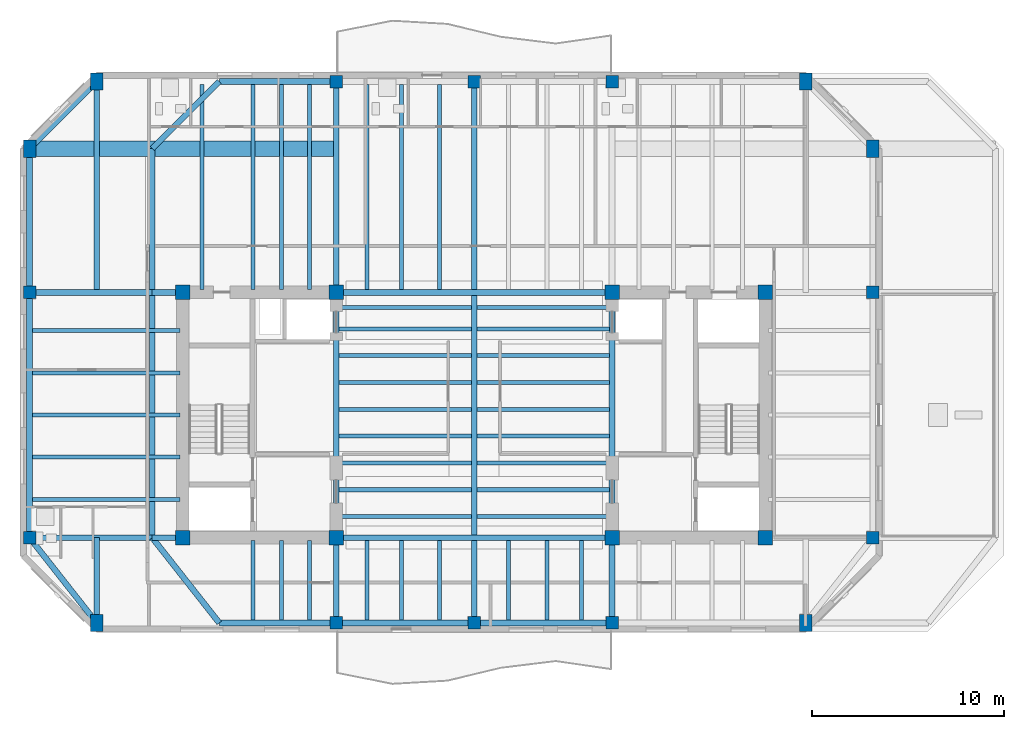
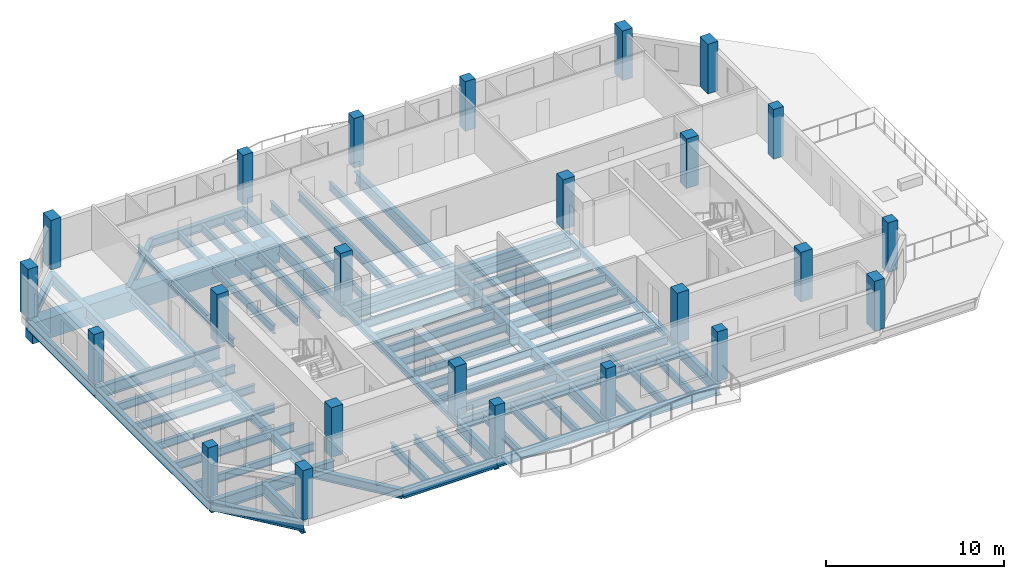
# One storey, part 1 of 10: 68 beams, 24 columns.
"""IFC4 building model written with IfcOpenShell, lengths in metres."""

from ifc_helpers import new_model, si_unit, direction, frame, origin, origin_2d, place, context, subcontext, project, spatial, rectangle, i_section, extrude, material, material_profile, profile_set, type_object, element, save


model = new_model("IFC4")

# Units and contexts
model_context = context("Model", 3, precision=1e-05, world=origin(), true_north=direction((0.0, 1.0)))
body_context = subcontext(model_context, "Body", "Model", "MODEL_VIEW")
ifc_project = project(units=[si_unit("LENGTHUNIT", "METRE"), si_unit("AREAUNIT", "SQUARE_METRE"), si_unit("VOLUMEUNIT", "CUBIC_METRE"), si_unit("PLANEANGLEUNIT", "RADIAN"), si_unit("MASSUNIT", "GRAM", prefix="KILO")], contexts=[model_context])

# Site, building, storey
site_placement = place(None, origin())
site = spatial("IfcSite", under=ifc_project, at=site_placement, CompositionType="ELEMENT")
building_placement = place(site_placement, origin())
building = spatial("IfcBuilding", under=site, at=building_placement, Name="Kranthara Brick Stack", CompositionType="ELEMENT")
storey_placement = place(building_placement, frame((0.0, 0.0, 268.699951171875)))
storey = spatial("IfcBuildingStorey", under=building, at=storey_placement, Name="L71", CompositionType="ELEMENT", Elevation=268.699951171875)

# Columns
ifc_material_1 = material(Name="Concrete C50/60", Category="concrete")
ifc_material_profile_1 = material_profile(ifc_material_1, rectangle(XDim=0.64990234375, YDim=0.89990234375, at=origin_2d()), Name="RC 650x900")
ifc_profile_set_1 = profile_set([ifc_material_profile_1], Name="Concrete C50/60")
column_type_1 = type_object("IfcColumnType", Name="COL-CHAM-650x900", PredefinedType="COLUMN", material=ifc_profile_set_1)
for number, where, z_axis, x_axis, name in (
    (1, (8.300048828125, 16.35009765625, 0.0), (0.0, 0.0, 1.0), (1.0, 0.0, 0.0), "L71 Column 09"),
    (2, (8.300048828125, 44.60009765625, 0.0), (0.0, 0.0, 1.0), (1.0, 0.0, 0.0), "L71 Column 10"),
    (3, (45.300048828125, 16.35009765625, 0.0), (0.0, 0.0, 1.0), (1.0, 0.0, 0.0), "L71 Column 17"),
    (4, (45.300048828125, 44.60009765625, 0.0), (0.0, 0.0, 1.0), (1.0, 0.0, 0.0), "L71 Column 18"),
    (5, (4.800048828125, 41.10009765625, 0.0), (0.0, 0.0, 1.0), (1.0, 0.0, 0.0), "L71 Column 23"),
    (6, (48.800048828125, 41.10009765625, 0.0), (0.0, 0.0, 1.0), (1.0, 0.0, 0.0), "L71 Column 24"),
):
    element("IfcColumn", number, at=place(storey_placement, frame(where, z_axis=z_axis, x_axis=x_axis)), inside=storey, type_object=column_type_1, Name=name, PredefinedType="COLUMN", context=body_context, shape_type="SweptSolid", body=[
        extrude(rectangle(XDim=0.64990234375, YDim=0.89990234375, at=origin_2d()), origin(), (0.0, 0.0, 1.0), 3.400146484375),
    ])
ifc_material_2 = material(Name="Concrete C50/60", Category="concrete")
ifc_material_profile_2 = material_profile(ifc_material_2, rectangle(XDim=0.75, YDim=0.75, at=origin_2d()), Name="RC 750x750")
ifc_profile_set_2 = profile_set([ifc_material_profile_2], Name="Concrete C50/60")
column_type_2 = type_object("IfcColumnType", Name="COL-CORE-750", PredefinedType="COLUMN", material=ifc_profile_set_2)
for number, where, z_axis, x_axis, name in (
    (7, (12.800048828125, 20.800048828125, 0.0), (0.0, 0.0, 1.0), (1.0, 0.0, 0.0), "L71 Column 01"),
    (8, (20.800048828125, 20.800048828125, 0.0), (0.0, 0.0, 1.0), (1.0, 0.0, 0.0), "L71 Column 02"),
    (9, (12.800048828125, 33.60009765625, 0.0), (0.0, 0.0, 1.0), (1.0, 0.0, 0.0), "L71 Column 03"),
    (10, (20.800048828125, 33.60009765625, 0.0), (0.0, 0.0, 1.0), (1.0, 0.0, 0.0), "L71 Column 04"),
    (11, (35.199951171875, 20.800048828125, 0.0), (0.0, 0.0, 1.0), (1.0, 0.0, 0.0), "L71 Column 05"),
    (12, (43.199951171875, 20.800048828125, 0.0), (0.0, 0.0, 1.0), (1.0, 0.0, 0.0), "L71 Column 06"),
    (13, (35.199951171875, 33.60009765625, 0.0), (0.0, 0.0, 1.0), (1.0, 0.0, 0.0), "L71 Column 07"),
    (14, (43.199951171875, 33.60009765625, 0.0), (0.0, 0.0, 1.0), (1.0, 0.0, 0.0), "L71 Column 08"),
):
    element("IfcColumn", number, at=place(storey_placement, frame(where, z_axis=z_axis, x_axis=x_axis)), inside=storey, type_object=column_type_2, Name=name, PredefinedType="COLUMN", context=body_context, shape_type="SweptSolid", body=[
        extrude(rectangle(XDim=0.75, YDim=0.75, at=origin_2d()), origin(), (0.0, 0.0, 1.0), 3.400146484375),
    ])
ifc_material_3 = material(Name="Concrete C50/60", Category="concrete")
ifc_material_profile_3 = material_profile(ifc_material_3, rectangle(XDim=0.64990234375, YDim=0.64990234375, at=origin_2d()), Name="RC 650x650")
ifc_profile_set_3 = profile_set([ifc_material_profile_3], Name="Concrete C50/60")
column_type_3 = type_object("IfcColumnType", Name="COL-PER-650", PredefinedType="COLUMN", material=ifc_profile_set_3)
for number, where, z_axis, x_axis, name in (
    (15, (20.800048828125, 16.35009765625, 0.0), (0.0, 0.0, 1.0), (1.0, 0.0, 0.0), "L71 Column 11"),
    (16, (20.800048828125, 44.60009765625, 0.0), (0.0, 0.0, 1.0), (1.0, 0.0, 0.0), "L71 Column 12"),
    (17, (28.0, 16.35009765625, 0.0), (0.0, 0.0, 1.0), (1.0, 0.0, 0.0), "L71 Column 13"),
    (18, (28.0, 44.60009765625, 0.0), (0.0, 0.0, 1.0), (1.0, 0.0, 0.0), "L71 Column 14"),
    (19, (35.199951171875, 16.35009765625, 0.0), (0.0, 0.0, 1.0), (1.0, 0.0, 0.0), "L71 Column 15"),
    (20, (35.199951171875, 44.60009765625, 0.0), (0.0, 0.0, 1.0), (1.0, 0.0, 0.0), "L71 Column 16"),
    (21, (4.800048828125, 20.800048828125, 0.0), (0.0, 0.0, 1.0), (1.0, 0.0, 0.0), "L71 Column 19"),
    (22, (48.800048828125, 20.800048828125, 0.0), (0.0, 0.0, 1.0), (1.0, 0.0, 0.0), "L71 Column 20"),
    (23, (4.800048828125, 33.60009765625, 0.0), (0.0, 0.0, 1.0), (1.0, 0.0, 0.0), "L71 Column 21"),
    (24, (48.800048828125, 33.60009765625, 0.0), (0.0, 0.0, 1.0), (1.0, 0.0, 0.0), "L71 Column 22"),
):
    element("IfcColumn", number, at=place(storey_placement, frame(where, z_axis=z_axis, x_axis=x_axis)), inside=storey, type_object=column_type_3, Name=name, PredefinedType="COLUMN", context=body_context, shape_type="SweptSolid", body=[
        extrude(rectangle(XDim=0.64990234375, YDim=0.64990234375, at=origin_2d()), origin(), (0.0, 0.0, 1.0), 3.400146484375),
    ])

# Beams
ifc_material_4 = material(Name="Steel S355", Category="steel")
ifc_material_profile_4 = material_profile(ifc_material_4, i_section(OverallWidth=0.2099609375, OverallDepth=0.550048828125, WebThickness=0.010986328125, FlangeThickness=0.01708984375, at=origin_2d()), Name="IPE 550")
ifc_profile_set_4 = profile_set([ifc_material_profile_4], Name="Steel S355")
beam_type_1 = type_object("IfcBeamType", Name="BM-JST-IPE550", PredefinedType="JOIST", material=ifc_profile_set_4)
for number, where, z_axis, x_axis, name in (
    (25, (20.949951171875, 21.89990234375, -0.724853515625), (1.0, 0.0, 0.0), (0.0, 1.0, 0.0), "L71 Central Floor Joist 048"),
    (26, (28.14990234375, 21.89990234375, -0.724853515625), (1.0, 0.0, 0.0), (0.0, 1.0, 0.0), "L71 Central Floor Joist 049"),
    (27, (20.949951171875, 23.300048828125, -0.724853515625), (1.0, 0.0, 0.0), (0.0, 1.0, 0.0), "L71 Central Floor Joist 050"),
    (28, (28.14990234375, 23.300048828125, -0.724853515625), (1.0, 0.0, 0.0), (0.0, 1.0, 0.0), "L71 Central Floor Joist 051"),
    (29, (20.949951171875, 24.699951171875, -0.724853515625), (1.0, 0.0, 0.0), (0.0, 1.0, 0.0), "L71 Central Floor Joist 052"),
    (30, (28.14990234375, 24.699951171875, -0.724853515625), (1.0, 0.0, 0.0), (0.0, 1.0, 0.0), "L71 Central Floor Joist 053"),
    (31, (20.949951171875, 26.10009765625, -0.724853515625), (1.0, 0.0, 0.0), (0.0, 1.0, 0.0), "L71 Central Floor Joist 054"),
    (32, (28.14990234375, 26.10009765625, -0.724853515625), (1.0, 0.0, 0.0), (0.0, 1.0, 0.0), "L71 Central Floor Joist 055"),
    (33, (20.949951171875, 27.5, -0.724853515625), (1.0, 0.0, 0.0), (0.0, 1.0, 0.0), "L71 Central Floor Joist 056"),
    (34, (28.14990234375, 27.5, -0.724853515625), (1.0, 0.0, 0.0), (0.0, 1.0, 0.0), "L71 Central Floor Joist 057"),
    (35, (20.949951171875, 28.89990234375, -0.724853515625), (1.0, 0.0, 0.0), (0.0, 1.0, 0.0), "L71 Central Floor Joist 058"),
    (36, (28.14990234375, 28.89990234375, -0.724853515625), (1.0, 0.0, 0.0), (0.0, 1.0, 0.0), "L71 Central Floor Joist 059"),
    (37, (20.949951171875, 30.300048828125, -0.724853515625), (1.0, 0.0, 0.0), (0.0, 1.0, 0.0), "L71 Central Floor Joist 060"),
    (38, (28.14990234375, 30.300048828125, -0.724853515625), (1.0, 0.0, 0.0), (0.0, 1.0, 0.0), "L71 Central Floor Joist 061"),
    (39, (20.949951171875, 31.699951171875, -0.724853515625), (1.0, 0.0, 0.0), (0.0, 1.0, 0.0), "L71 Central Floor Joist 062"),
    (40, (28.14990234375, 31.699951171875, -0.724853515625), (1.0, 0.0, 0.0), (0.0, 1.0, 0.0), "L71 Central Floor Joist 063"),
    (41, (20.949951171875, 32.800048828125, -0.724853515625), (1.0, 0.0, 0.0), (0.0, 1.0, 0.0), "L71 Central Floor Joist 064"),
    (42, (28.14990234375, 32.800048828125, -0.724853515625), (1.0, 0.0, 0.0), (0.0, 1.0, 0.0), "L71 Central Floor Joist 065"),
):
    element("IfcBeam", number, at=place(storey_placement, frame(where, z_axis=z_axis, x_axis=x_axis)), inside=storey, type_object=beam_type_1, Name=name, PredefinedType="JOIST", context=body_context, shape_type="SweptSolid", body=[
        extrude(i_section(OverallWidth=0.2099609375, OverallDepth=0.550048828125, WebThickness=0.010986328125, FlangeThickness=0.01708984375, at=origin_2d()), origin(), (0.0, 0.0, 1.0), 6.900146484375),
    ])
beam_1_placement = place(storey_placement, frame((13.800048828125, 33.75, -0.724853515625), z_axis=(0.0, 1.0, 0.0), x_axis=(-1.0, 0.0, 0.0)))
element("IfcBeam", 43, at=beam_1_placement, inside=storey, type_object=beam_type_1, Name="L71 North Wing Floor Joist 066", PredefinedType="JOIST", context=body_context, shape_type="SweptSolid", body=[
    extrude(i_section(OverallWidth=0.2099609375, OverallDepth=0.550048828125, WebThickness=0.010986328125, FlangeThickness=0.01708984375, at=origin_2d()), origin(), (0.0, 0.0, 1.0), 10.699951171875),
])
beam_2_placement = place(storey_placement, frame((16.449951171875, 16.5, -0.724853515625), z_axis=(0.0, 1.0, 0.0), x_axis=(-1.0, 0.0, 0.0)))
element("IfcBeam", 44, at=beam_2_placement, inside=storey, type_object=beam_type_1, Name="L71 South Wing Floor Joist 067", PredefinedType="JOIST", context=body_context, shape_type="SweptSolid", body=[
    extrude(i_section(OverallWidth=0.2099609375, OverallDepth=0.550048828125, WebThickness=0.010986328125, FlangeThickness=0.01708984375, at=origin_2d()), origin(), (0.0, 0.0, 1.0), 4.14990234375),
])
beam_3_placement = place(storey_placement, frame((16.449951171875, 33.75, -0.724853515625), z_axis=(0.0, 1.0, 0.0), x_axis=(-1.0, 0.0, 0.0)))
element("IfcBeam", 45, at=beam_3_placement, inside=storey, type_object=beam_type_1, Name="L71 North Wing Floor Joist 068", PredefinedType="JOIST", context=body_context, shape_type="SweptSolid", body=[
    extrude(i_section(OverallWidth=0.2099609375, OverallDepth=0.550048828125, WebThickness=0.010986328125, FlangeThickness=0.01708984375, at=origin_2d()), origin(), (0.0, 0.0, 1.0), 10.699951171875),
])
beam_4_placement = place(storey_placement, frame((17.949951171875, 16.5, -0.724853515625), z_axis=(0.0, 1.0, 0.0), x_axis=(-1.0, 0.0, 0.0)))
element("IfcBeam", 46, at=beam_4_placement, inside=storey, type_object=beam_type_1, Name="L71 South Wing Floor Joist 069", PredefinedType="JOIST", context=body_context, shape_type="SweptSolid", body=[
    extrude(i_section(OverallWidth=0.2099609375, OverallDepth=0.550048828125, WebThickness=0.010986328125, FlangeThickness=0.01708984375, at=origin_2d()), origin(), (0.0, 0.0, 1.0), 4.14990234375),
])
beam_5_placement = place(storey_placement, frame((17.949951171875, 33.75, -0.724853515625), z_axis=(0.0, 1.0, 0.0), x_axis=(-1.0, 0.0, 0.0)))
element("IfcBeam", 47, at=beam_5_placement, inside=storey, type_object=beam_type_1, Name="L71 North Wing Floor Joist 070", PredefinedType="JOIST", context=body_context, shape_type="SweptSolid", body=[
    extrude(i_section(OverallWidth=0.2099609375, OverallDepth=0.550048828125, WebThickness=0.010986328125, FlangeThickness=0.01708984375, at=origin_2d()), origin(), (0.0, 0.0, 1.0), 10.699951171875),
])
beam_6_placement = place(storey_placement, frame((19.39990234375, 16.5, -0.724853515625), z_axis=(0.0, 1.0, 0.0), x_axis=(-1.0, 0.0, 0.0)))
element("IfcBeam", 48, at=beam_6_placement, inside=storey, type_object=beam_type_1, Name="L71 South Wing Floor Joist 071", PredefinedType="JOIST", context=body_context, shape_type="SweptSolid", body=[
    extrude(i_section(OverallWidth=0.2099609375, OverallDepth=0.550048828125, WebThickness=0.010986328125, FlangeThickness=0.01708984375, at=origin_2d()), origin(), (0.0, 0.0, 1.0), 4.14990234375),
])
beam_7_placement = place(storey_placement, frame((19.39990234375, 33.75, -0.724853515625), z_axis=(0.0, 1.0, 0.0), x_axis=(-1.0, 0.0, 0.0)))
element("IfcBeam", 49, at=beam_7_placement, inside=storey, type_object=beam_type_1, Name="L71 North Wing Floor Joist 072", PredefinedType="JOIST", context=body_context, shape_type="SweptSolid", body=[
    extrude(i_section(OverallWidth=0.2099609375, OverallDepth=0.550048828125, WebThickness=0.010986328125, FlangeThickness=0.01708984375, at=origin_2d()), origin(), (0.0, 0.0, 1.0), 10.699951171875),
])
beam_8_placement = place(storey_placement, frame((22.39990234375, 16.5, -0.724853515625), z_axis=(0.0, 1.0, 0.0), x_axis=(-1.0, 0.0, 0.0)))
element("IfcBeam", 50, at=beam_8_placement, inside=storey, type_object=beam_type_1, Name="L71 South Wing Floor Joist 073", PredefinedType="JOIST", context=body_context, shape_type="SweptSolid", body=[
    extrude(i_section(OverallWidth=0.2099609375, OverallDepth=0.550048828125, WebThickness=0.010986328125, FlangeThickness=0.01708984375, at=origin_2d()), origin(), (0.0, 0.0, 1.0), 4.14990234375),
])
beam_9_placement = place(storey_placement, frame((22.39990234375, 33.75, -0.724853515625), z_axis=(0.0, 1.0, 0.0), x_axis=(-1.0, 0.0, 0.0)))
element("IfcBeam", 51, at=beam_9_placement, inside=storey, type_object=beam_type_1, Name="L71 North Wing Floor Joist 074", PredefinedType="JOIST", context=body_context, shape_type="SweptSolid", body=[
    extrude(i_section(OverallWidth=0.2099609375, OverallDepth=0.550048828125, WebThickness=0.010986328125, FlangeThickness=0.01708984375, at=origin_2d()), origin(), (0.0, 0.0, 1.0), 10.699951171875),
])
beam_10_placement = place(storey_placement, frame((24.199951171875, 16.5, -0.724853515625), z_axis=(0.0, 1.0, 0.0), x_axis=(-1.0, 0.0, 0.0)))
element("IfcBeam", 52, at=beam_10_placement, inside=storey, type_object=beam_type_1, Name="L71 South Wing Floor Joist 075", PredefinedType="JOIST", context=body_context, shape_type="SweptSolid", body=[
    extrude(i_section(OverallWidth=0.2099609375, OverallDepth=0.550048828125, WebThickness=0.010986328125, FlangeThickness=0.01708984375, at=origin_2d()), origin(), (0.0, 0.0, 1.0), 4.14990234375),
])
beam_11_placement = place(storey_placement, frame((24.199951171875, 33.75, -0.724853515625), z_axis=(0.0, 1.0, 0.0), x_axis=(-1.0, 0.0, 0.0)))
element("IfcBeam", 53, at=beam_11_placement, inside=storey, type_object=beam_type_1, Name="L71 North Wing Floor Joist 076", PredefinedType="JOIST", context=body_context, shape_type="SweptSolid", body=[
    extrude(i_section(OverallWidth=0.2099609375, OverallDepth=0.550048828125, WebThickness=0.010986328125, FlangeThickness=0.01708984375, at=origin_2d()), origin(), (0.0, 0.0, 1.0), 10.699951171875),
])
beam_12_placement = place(storey_placement, frame((26.199951171875, 16.5, -0.724853515625), z_axis=(0.0, 1.0, 0.0), x_axis=(-1.0, 0.0, 0.0)))
element("IfcBeam", 54, at=beam_12_placement, inside=storey, type_object=beam_type_1, Name="L71 South Wing Floor Joist 077", PredefinedType="JOIST", context=body_context, shape_type="SweptSolid", body=[
    extrude(i_section(OverallWidth=0.2099609375, OverallDepth=0.550048828125, WebThickness=0.010986328125, FlangeThickness=0.01708984375, at=origin_2d()), origin(), (0.0, 0.0, 1.0), 4.14990234375),
])
beam_13_placement = place(storey_placement, frame((26.199951171875, 33.75, -0.724853515625), z_axis=(0.0, 1.0, 0.0), x_axis=(-1.0, 0.0, 0.0)))
element("IfcBeam", 55, at=beam_13_placement, inside=storey, type_object=beam_type_1, Name="L71 North Wing Floor Joist 078", PredefinedType="JOIST", context=body_context, shape_type="SweptSolid", body=[
    extrude(i_section(OverallWidth=0.2099609375, OverallDepth=0.550048828125, WebThickness=0.010986328125, FlangeThickness=0.01708984375, at=origin_2d()), origin(), (0.0, 0.0, 1.0), 10.699951171875),
])
for number, where, z_axis, x_axis, name in (
    (56, (29.800048828125, 16.5, -0.724853515625), (0.0, 1.0, 0.0), (-1.0, 0.0, 0.0), "L71 South Wing Floor Joist 079"),
    (57, (31.800048828125, 16.5, -0.724853515625), (0.0, 1.0, 0.0), (-1.0, 0.0, 0.0), "L71 South Wing Floor Joist 081"),
    (58, (33.60009765625, 16.5, -0.724853515625), (0.0, 1.0, 0.0), (-1.0, 0.0, 0.0), "L71 South Wing Floor Joist 083"),
):
    element("IfcBeam", number, at=place(storey_placement, frame(where, z_axis=z_axis, x_axis=x_axis)), inside=storey, type_object=beam_type_1, Name=name, PredefinedType="JOIST", context=body_context, shape_type="SweptSolid", body=[
        extrude(i_section(OverallWidth=0.2099609375, OverallDepth=0.550048828125, WebThickness=0.010986328125, FlangeThickness=0.01708984375, at=origin_2d()), origin(), (0.0, 0.0, 1.0), 4.14990234375),
    ])
for number, where, z_axis, x_axis, name in (
    (59, (4.949951171875, 22.800048828125, -0.724853515625), (1.0, 0.0, 0.0), (0.0, 1.0, 0.0), "L71 West Wing Floor Joist 093"),
    (60, (4.949951171875, 25.0, -0.724853515625), (1.0, 0.0, 0.0), (0.0, 1.0, 0.0), "L71 West Wing Floor Joist 095"),
    (61, (4.949951171875, 27.199951171875, -0.724853515625), (1.0, 0.0, 0.0), (0.0, 1.0, 0.0), "L71 West Wing Floor Joist 097"),
    (62, (4.949951171875, 29.39990234375, -0.724853515625), (1.0, 0.0, 0.0), (0.0, 1.0, 0.0), "L71 West Wing Floor Joist 099"),
    (63, (4.949951171875, 31.60009765625, -0.724853515625), (1.0, 0.0, 0.0), (0.0, 1.0, 0.0), "L71 West Wing Floor Joist 101"),
):
    element("IfcBeam", number, at=place(storey_placement, frame(where, z_axis=z_axis, x_axis=x_axis)), inside=storey, type_object=beam_type_1, Name=name, PredefinedType="JOIST", context=body_context, shape_type="SweptSolid", body=[
        extrude(i_section(OverallWidth=0.2099609375, OverallDepth=0.550048828125, WebThickness=0.010986328125, FlangeThickness=0.01708984375, at=origin_2d()), origin(), (0.0, 0.0, 1.0), 7.699951171875),
    ])
ifc_material_5 = material(Name="Steel S355", Category="steel")
ifc_material_profile_5 = material_profile(ifc_material_5, i_section(OverallWidth=0.300048828125, OverallDepth=0.449951171875, WebThickness=0.013916015625, FlangeThickness=0.02587890625, at=origin_2d()), Name="HEB 450")
ifc_profile_set_5 = profile_set([ifc_material_profile_5], Name="Steel S355")
beam_type_2 = type_object("IfcBeamType", Name="BM-STL-HEB450", PredefinedType="SPANDREL", material=ifc_profile_set_5)
for number, where, z_axis, x_axis, name in (
    (64, (20.800048828125, 20.800048828125, -0.675048828125), (0.0, 1.0, 0.0), (-1.0, 0.0, 0.0), "L71 Core Edge Tie Beam 003"),
    (65, (35.199951171875, 20.800048828125, -0.675048828125), (0.0, 1.0, 0.0), (-1.0, 0.0, 0.0), "L71 Core Edge Tie Beam 004"),
):
    element("IfcBeam", number, at=place(storey_placement, frame(where, z_axis=z_axis, x_axis=x_axis)), inside=storey, type_object=beam_type_2, Name=name, PredefinedType="SPANDREL", context=body_context, shape_type="SweptSolid", body=[
        extrude(i_section(OverallWidth=0.300048828125, OverallDepth=0.449951171875, WebThickness=0.013916015625, FlangeThickness=0.02587890625, at=origin_2d()), origin(), (0.0, 0.0, 1.0), 12.800048828125),
    ])
ifc_material_6 = material(Name="Steel S355", Category="steel")
ifc_material_profile_6 = material_profile(ifc_material_6, i_section(OverallWidth=0.300048828125, OverallDepth=0.60009765625, WebThickness=0.015380859375, FlangeThickness=0.030029296875, at=origin_2d()), Name="HEB 600")
ifc_profile_set_6 = profile_set([ifc_material_profile_6], Name="Steel S355")
beam_type_3 = type_object("IfcBeamType", Name="BM-STL-HEB600", PredefinedType="BEAM", material=ifc_profile_set_6)
beam_14_placement = place(storey_placement, frame((14.699951171875, 16.35009765625, -0.75), z_axis=(1.0, 0.0, 0.0), x_axis=(0.0, 1.0, 0.0)))
element("IfcBeam", 66, at=beam_14_placement, inside=storey, type_object=beam_type_3, Name="L71 Perimeter Spandrel Beam 005", PredefinedType="BEAM", context=body_context, shape_type="SweptSolid", body=[
    extrude(i_section(OverallWidth=0.300048828125, OverallDepth=0.60009765625, WebThickness=0.015380859375, FlangeThickness=0.030029296875, at=origin_2d()), origin(), (0.0, 0.0, 1.0), 6.10009765625),
])
for number, where, z_axis, x_axis, name in (
    (67, (20.800048828125, 16.35009765625, -0.75), (1.0, 0.0, 0.0), (0.0, 1.0, 0.0), "L71 Perimeter Spandrel Beam 006"),
    (68, (28.0, 16.35009765625, -0.75), (1.0, 0.0, 0.0), (0.0, 1.0, 0.0), "L71 Perimeter Spandrel Beam 007"),
):
    element("IfcBeam", number, at=place(storey_placement, frame(where, z_axis=z_axis, x_axis=x_axis)), inside=storey, type_object=beam_type_3, Name=name, PredefinedType="BEAM", context=body_context, shape_type="SweptSolid", body=[
        extrude(i_section(OverallWidth=0.300048828125, OverallDepth=0.60009765625, WebThickness=0.015380859375, FlangeThickness=0.030029296875, at=origin_2d()), origin(), (0.0, 0.0, 1.0), 7.199951171875),
    ])
beam_15_placement = place(storey_placement, frame((14.699951171875, 44.60009765625, -0.75), z_axis=(1.0, 0.0, 0.0), x_axis=(0.0, 1.0, 0.0)))
element("IfcBeam", 69, at=beam_15_placement, inside=storey, type_object=beam_type_3, Name="L71 Perimeter Spandrel Beam 009", PredefinedType="BEAM", context=body_context, shape_type="SweptSolid", body=[
    extrude(i_section(OverallWidth=0.300048828125, OverallDepth=0.60009765625, WebThickness=0.015380859375, FlangeThickness=0.030029296875, at=origin_2d()), origin(), (0.0, 0.0, 1.0), 6.10009765625),
])
beam_16_placement = place(storey_placement, frame((11.199951171875, 20.800048828125, -0.75), z_axis=(0.0, 1.0, 0.0), x_axis=(-1.0, 0.0, 0.0)))
element("IfcBeam", 70, at=beam_16_placement, inside=storey, type_object=beam_type_3, Name="L71 Perimeter Spandrel Beam 013", PredefinedType="BEAM", context=body_context, shape_type="SweptSolid", body=[
    extrude(i_section(OverallWidth=0.300048828125, OverallDepth=0.60009765625, WebThickness=0.015380859375, FlangeThickness=0.030029296875, at=origin_2d()), origin(), (0.0, 0.0, 1.0), 12.800048828125),
])
beam_17_placement = place(storey_placement, frame((11.199951171875, 33.60009765625, -0.75), z_axis=(0.0, 1.0, 0.0), x_axis=(-1.0, 0.0, 0.0)))
element("IfcBeam", 71, at=beam_17_placement, inside=storey, type_object=beam_type_3, Name="L71 Perimeter Spandrel Beam 014", PredefinedType="BEAM", context=body_context, shape_type="SweptSolid", body=[
    extrude(i_section(OverallWidth=0.300048828125, OverallDepth=0.60009765625, WebThickness=0.015380859375, FlangeThickness=0.030029296875, at=origin_2d()), origin(), (0.0, 0.0, 1.0), 7.5),
])
beam_18_placement = place(storey_placement, frame((14.699951171875, 16.35009765625, -0.75), z_axis=(-0.618215705636, 0.78600848679, 0.0), x_axis=(-0.78600848679, -0.618215705636, 0.0)))
element("IfcBeam", 72, at=beam_18_placement, inside=storey, type_object=beam_type_3, Name="L71 Chamfer Corner Spandrel 017", PredefinedType="BEAM", context=body_context, shape_type="SweptSolid", body=[
    extrude(i_section(OverallWidth=0.300048828125, OverallDepth=0.60009765625, WebThickness=0.015380859375, FlangeThickness=0.030029296875, at=origin_2d()), origin(), (0.0, 0.0, 1.0), 5.661376953125),
])
beam_19_placement = place(storey_placement, frame((14.699951171875, 44.60009765625, -0.75), z_axis=(-0.707106781187, -0.707106781187, 0.0), x_axis=(0.707106781187, -0.707106781187, 0.0)))
element("IfcBeam", 73, at=beam_19_placement, inside=storey, type_object=beam_type_3, Name="L71 Chamfer Corner Spandrel 019", PredefinedType="BEAM", context=body_context, shape_type="SweptSolid", body=[
    extrude(i_section(OverallWidth=0.300048828125, OverallDepth=0.60009765625, WebThickness=0.015380859375, FlangeThickness=0.030029296875, at=origin_2d()), origin(), (0.0, 0.0, 1.0), 4.94970703125),
])
beam_20_placement = place(storey_placement, frame((4.800048828125, 20.800048828125, -0.75), z_axis=(0.0, 1.0, 0.0), x_axis=(-1.0, 0.0, 0.0)))
element("IfcBeam", 74, at=beam_20_placement, inside=storey, type_object=beam_type_3, Name="L71 Perimeter Spandrel Beam 021", PredefinedType="BEAM", context=body_context, shape_type="SweptSolid", body=[
    extrude(i_section(OverallWidth=0.300048828125, OverallDepth=0.60009765625, WebThickness=0.015380859375, FlangeThickness=0.030029296875, at=origin_2d()), origin(), (0.0, 0.0, 1.0), 12.800048828125),
])
beam_21_placement = place(storey_placement, frame((4.800048828125, 33.60009765625, -0.75), z_axis=(0.0, 1.0, 0.0), x_axis=(-1.0, 0.0, 0.0)))
element("IfcBeam", 75, at=beam_21_placement, inside=storey, type_object=beam_type_3, Name="L71 Perimeter Spandrel Beam 022", PredefinedType="BEAM", context=body_context, shape_type="SweptSolid", body=[
    extrude(i_section(OverallWidth=0.300048828125, OverallDepth=0.60009765625, WebThickness=0.015380859375, FlangeThickness=0.030029296875, at=origin_2d()), origin(), (0.0, 0.0, 1.0), 7.5),
])
beam_22_placement = place(storey_placement, frame((8.300048828125, 16.35009765625, -0.75), z_axis=(-0.618215705636, 0.78600848679, 0.0), x_axis=(-0.78600848679, -0.618215705636, 0.0)))
element("IfcBeam", 76, at=beam_22_placement, inside=storey, type_object=beam_type_3, Name="L71 Chamfer Corner Spandrel 025", PredefinedType="BEAM", context=body_context, shape_type="SweptSolid", body=[
    extrude(i_section(OverallWidth=0.300048828125, OverallDepth=0.60009765625, WebThickness=0.015380859375, FlangeThickness=0.030029296875, at=origin_2d()), origin(), (0.0, 0.0, 1.0), 5.661376953125),
])
beam_23_placement = place(storey_placement, frame((8.300048828125, 44.60009765625, -0.75), z_axis=(-0.707106781187, -0.707106781187, 0.0), x_axis=(0.707106781187, -0.707106781187, 0.0)))
element("IfcBeam", 77, at=beam_23_placement, inside=storey, type_object=beam_type_3, Name="L71 Chamfer Corner Spandrel 027", PredefinedType="BEAM", context=body_context, shape_type="SweptSolid", body=[
    extrude(i_section(OverallWidth=0.300048828125, OverallDepth=0.60009765625, WebThickness=0.015380859375, FlangeThickness=0.030029296875, at=origin_2d()), origin(), (0.0, 0.0, 1.0), 4.94970703125),
])
ifc_material_7 = material(Name="Steel S355", Category="steel")
ifc_material_profile_7 = material_profile(ifc_material_7, i_section(OverallWidth=0.300048828125, OverallDepth=0.800048828125, WebThickness=0.017578125, FlangeThickness=0.032958984375, at=origin_2d()), Name="HEB 800")
ifc_profile_set_7 = profile_set([ifc_material_profile_7], Name="Steel S355")
beam_type_4 = type_object("IfcBeamType", Name="BM-TR-HEB800", PredefinedType="BEAM", material=ifc_profile_set_7)
for number, where, z_axis, x_axis, name in (
    (78, (20.800048828125, 20.800048828125, -0.849853515625), (1.0, 0.0, 0.0), (0.0, 1.0, 0.0), "L71 Core Coupling Beam 001"),
    (79, (20.800048828125, 33.60009765625, -0.849853515625), (1.0, 0.0, 0.0), (0.0, 1.0, 0.0), "L71 Core Coupling Beam 002"),
):
    element("IfcBeam", number, at=place(storey_placement, frame(where, z_axis=z_axis, x_axis=x_axis)), inside=storey, type_object=beam_type_4, Name=name, PredefinedType="BEAM", context=body_context, shape_type="SweptSolid", body=[
        extrude(i_section(OverallWidth=0.300048828125, OverallDepth=0.800048828125, WebThickness=0.017578125, FlangeThickness=0.032958984375, at=origin_2d()), origin(), (0.0, 0.0, 1.0), 14.39990234375),
    ])
beam_24_placement = place(storey_placement, frame((20.800048828125, 16.35009765625, -0.849853515625), z_axis=(0.0, 1.0, 0.0), x_axis=(-1.0, 0.0, 0.0)))
element("IfcBeam", 80, at=beam_24_placement, inside=storey, type_object=beam_type_4, Name="L71 Primary Grid Girder 029", PredefinedType="BEAM", context=body_context, shape_type="SweptSolid", body=[
    extrude(i_section(OverallWidth=0.300048828125, OverallDepth=0.800048828125, WebThickness=0.017578125, FlangeThickness=0.032958984375, at=origin_2d()), origin(), (0.0, 0.0, 1.0), 4.449951171875),
])
beam_25_placement = place(storey_placement, frame((20.800048828125, 33.60009765625, -0.849853515625), z_axis=(0.0, 1.0, 0.0), x_axis=(-1.0, 0.0, 0.0)))
element("IfcBeam", 81, at=beam_25_placement, inside=storey, type_object=beam_type_4, Name="L71 Primary Grid Girder 030", PredefinedType="BEAM", context=body_context, shape_type="SweptSolid", body=[
    extrude(i_section(OverallWidth=0.300048828125, OverallDepth=0.800048828125, WebThickness=0.017578125, FlangeThickness=0.032958984375, at=origin_2d()), origin(), (0.0, 0.0, 1.0), 11.0),
])
beam_26_placement = place(storey_placement, frame((28.0, 16.35009765625, -0.849853515625), z_axis=(0.0, 1.0, 0.0), x_axis=(-1.0, 0.0, 0.0)))
element("IfcBeam", 82, at=beam_26_placement, inside=storey, type_object=beam_type_4, Name="L71 Primary Grid Girder 031", PredefinedType="BEAM", context=body_context, shape_type="SweptSolid", body=[
    extrude(i_section(OverallWidth=0.300048828125, OverallDepth=0.800048828125, WebThickness=0.017578125, FlangeThickness=0.032958984375, at=origin_2d()), origin(), (0.0, 0.0, 1.0), 4.2998046875),
])
beam_27_placement = place(storey_placement, frame((28.0, 20.949951171875, -0.849853515625), z_axis=(0.0, 1.0, 0.0), x_axis=(-1.0, 0.0, 0.0)))
element("IfcBeam", 83, at=beam_27_placement, inside=storey, type_object=beam_type_4, Name="L71 Central Spine Girder 032", PredefinedType="BEAM", context=body_context, shape_type="SweptSolid", body=[
    extrude(i_section(OverallWidth=0.300048828125, OverallDepth=0.800048828125, WebThickness=0.017578125, FlangeThickness=0.032958984375, at=origin_2d()), origin(), (0.0, 0.0, 1.0), 12.5),
])
beam_28_placement = place(storey_placement, frame((28.0, 33.75, -0.849853515625), z_axis=(0.0, 1.0, 0.0), x_axis=(-1.0, 0.0, 0.0)))
element("IfcBeam", 84, at=beam_28_placement, inside=storey, type_object=beam_type_4, Name="L71 Primary Grid Girder 033", PredefinedType="BEAM", context=body_context, shape_type="SweptSolid", body=[
    extrude(i_section(OverallWidth=0.300048828125, OverallDepth=0.800048828125, WebThickness=0.017578125, FlangeThickness=0.032958984375, at=origin_2d()), origin(), (0.0, 0.0, 1.0), 10.85009765625),
])
beam_29_placement = place(storey_placement, frame((35.199951171875, 16.35009765625, -0.849853515625), z_axis=(0.0, 1.0, 0.0), x_axis=(-1.0, 0.0, 0.0)))
element("IfcBeam", 85, at=beam_29_placement, inside=storey, type_object=beam_type_4, Name="L71 Primary Grid Girder 034", PredefinedType="BEAM", context=body_context, shape_type="SweptSolid", body=[
    extrude(i_section(OverallWidth=0.300048828125, OverallDepth=0.800048828125, WebThickness=0.017578125, FlangeThickness=0.032958984375, at=origin_2d()), origin(), (0.0, 0.0, 1.0), 4.449951171875),
])
beam_30_placement = place(storey_placement, frame((4.800048828125, 20.800048828125, -0.849853515625), z_axis=(1.0, 0.0, 0.0), x_axis=(0.0, 1.0, 0.0)))
element("IfcBeam", 86, at=beam_30_placement, inside=storey, type_object=beam_type_4, Name="L71 Primary Grid Girder 036", PredefinedType="BEAM", context=body_context, shape_type="SweptSolid", body=[
    extrude(i_section(OverallWidth=0.300048828125, OverallDepth=0.800048828125, WebThickness=0.017578125, FlangeThickness=0.032958984375, at=origin_2d()), origin(), (0.0, 0.0, 1.0), 6.39990234375),
])
beam_31_placement = place(storey_placement, frame((11.199951171875, 20.800048828125, -0.849853515625), z_axis=(1.0, 0.0, 0.0), x_axis=(0.0, 1.0, 0.0)))
element("IfcBeam", 87, at=beam_31_placement, inside=storey, type_object=beam_type_4, Name="L71 Primary Grid Girder 037", PredefinedType="BEAM", context=body_context, shape_type="SweptSolid", body=[
    extrude(i_section(OverallWidth=0.300048828125, OverallDepth=0.800048828125, WebThickness=0.017578125, FlangeThickness=0.032958984375, at=origin_2d()), origin(), (0.0, 0.0, 1.0), 1.60009765625),
])
beam_32_placement = place(storey_placement, frame((4.800048828125, 33.60009765625, -0.849853515625), z_axis=(1.0, 0.0, 0.0), x_axis=(0.0, 1.0, 0.0)))
element("IfcBeam", 88, at=beam_32_placement, inside=storey, type_object=beam_type_4, Name="L71 Primary Grid Girder 039", PredefinedType="BEAM", context=body_context, shape_type="SweptSolid", body=[
    extrude(i_section(OverallWidth=0.300048828125, OverallDepth=0.800048828125, WebThickness=0.017578125, FlangeThickness=0.032958984375, at=origin_2d()), origin(), (0.0, 0.0, 1.0), 6.39990234375),
])
beam_33_placement = place(storey_placement, frame((11.199951171875, 33.60009765625, -0.849853515625), z_axis=(1.0, 0.0, 0.0), x_axis=(0.0, 1.0, 0.0)))
element("IfcBeam", 89, at=beam_33_placement, inside=storey, type_object=beam_type_4, Name="L71 Primary Grid Girder 040", PredefinedType="BEAM", context=body_context, shape_type="SweptSolid", body=[
    extrude(i_section(OverallWidth=0.300048828125, OverallDepth=0.800048828125, WebThickness=0.017578125, FlangeThickness=0.032958984375, at=origin_2d()), origin(), (0.0, 0.0, 1.0), 1.60009765625),
])
beam_34_placement = place(storey_placement, frame((8.300048828125, 16.35009765625, -0.849853515625), z_axis=(0.0, 1.0, 0.0), x_axis=(-1.0, 0.0, 0.0)))
element("IfcBeam", 90, at=beam_34_placement, inside=storey, type_object=beam_type_4, Name="L71 Transfer Tie Girder 042", PredefinedType="BEAM", context=body_context, shape_type="SweptSolid", body=[
    extrude(i_section(OverallWidth=0.300048828125, OverallDepth=0.800048828125, WebThickness=0.017578125, FlangeThickness=0.032958984375, at=origin_2d()), origin(), (0.0, 0.0, 1.0), 4.449951171875),
])
beam_35_placement = place(storey_placement, frame((8.300048828125, 44.60009765625, -0.849853515625), z_axis=(0.0, -1.0, 0.0), x_axis=(1.0, 0.0, 0.0)))
element("IfcBeam", 91, at=beam_35_placement, inside=storey, type_object=beam_type_4, Name="L71 Transfer Tie Girder 043", PredefinedType="BEAM", context=body_context, shape_type="SweptSolid", body=[
    extrude(i_section(OverallWidth=0.300048828125, OverallDepth=0.800048828125, WebThickness=0.017578125, FlangeThickness=0.032958984375, at=origin_2d()), origin(), (0.0, 0.0, 1.0), 11.0),
])
ifc_material_8 = material(Name="Post-tensioned concrete C50/60", Category="concrete")
ifc_material_profile_8 = material_profile(ifc_material_8, rectangle(XDim=0.800048828125, YDim=1.39990234375, at=origin_2d()), Name="PT 800x1400")
ifc_profile_set_8 = profile_set([ifc_material_profile_8], Name="Post-tensioned concrete C50/60")
beam_type_5 = type_object("IfcBeamType", Name="BM-TR-PT1400", PredefinedType="T_BEAM", material=ifc_profile_set_8)
beam_36_placement = place(storey_placement, frame((4.800048828125, 41.10009765625, -1.14990234375), z_axis=(1.0, 0.0, 0.0), x_axis=(0.0, 1.0, 0.0)))
element("IfcBeam", 92, at=beam_36_placement, inside=storey, type_object=beam_type_5, Name="L71 Transfer Tie Girder 046", PredefinedType="T_BEAM", context=body_context, shape_type="SweptSolid", body=[
    extrude(rectangle(XDim=0.800048828125, YDim=1.39990234375, at=origin_2d()), origin(), (0.0, 0.0, 1.0), 16.0),
])

save(model, "model.ifc")
